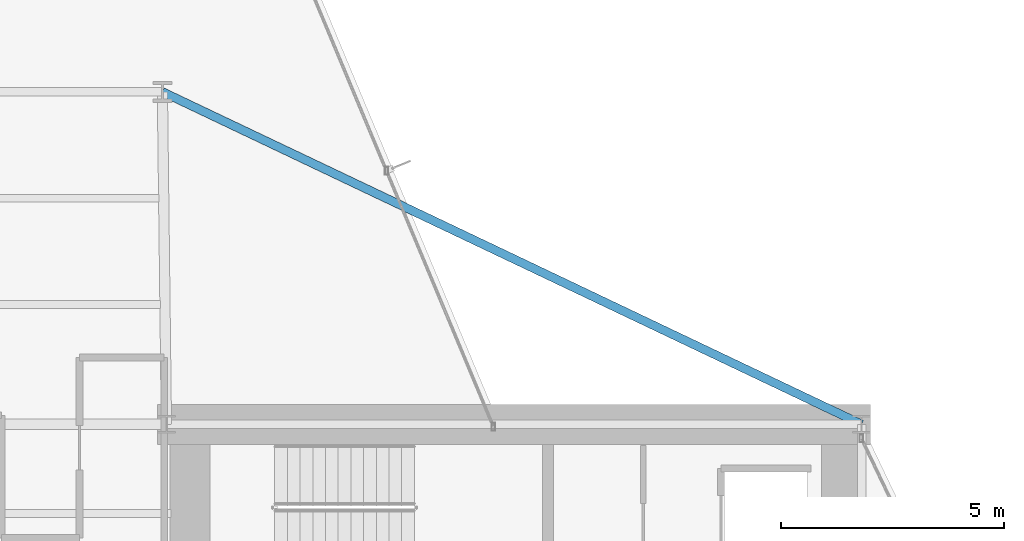
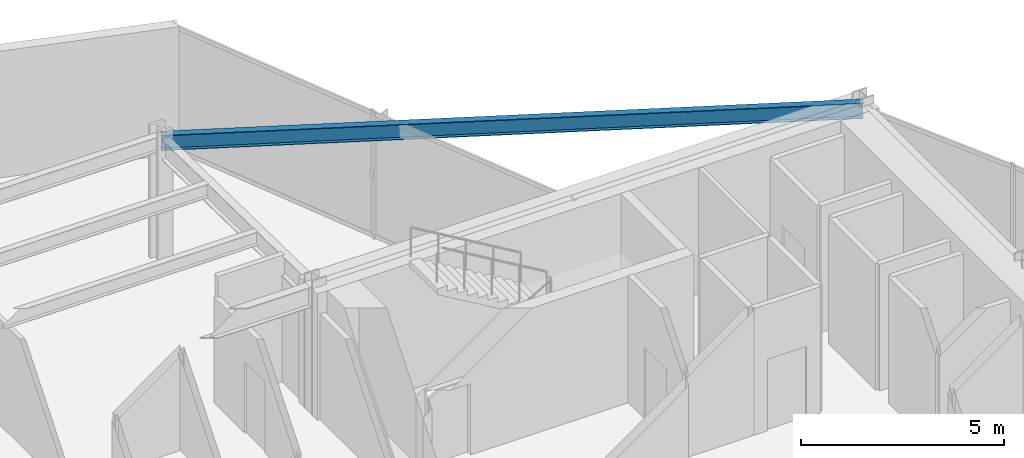
# One storey, part 17 of 25: 1 beam.
"""IFC4 building model written with IfcOpenShell, lengths in metres."""

from ifc_helpers import new_model, si_unit, direction, frame, origin, origin_2d, place, context, subcontext, project, spatial, i_section, extrude, material, material_profile, profile_set, type_object, element, save


model = new_model("IFC4")

# Units and contexts
model_context = context("Model", 3, precision=1e-05, world=origin(), true_north=direction((0.0, 1.0)))
body_context = subcontext(model_context, "Body", "Model", "MODEL_VIEW")
ifc_project = project(units=[si_unit("LENGTHUNIT", "METRE"), si_unit("AREAUNIT", "SQUARE_METRE"), si_unit("VOLUMEUNIT", "CUBIC_METRE"), si_unit("PLANEANGLEUNIT", "RADIAN"), si_unit("MASSUNIT", "GRAM", prefix="KILO")], contexts=[model_context])

# Site, building, storey
site_placement = place(None, origin())
site = spatial("IfcSite", under=ifc_project, at=site_placement, CompositionType="ELEMENT")
building_placement = place(site_placement, origin())
building = spatial("IfcBuilding", under=site, at=building_placement, Name="Veymaron Broadcast Tower", CompositionType="ELEMENT")
storey_placement = place(building_placement, frame((0.0, 0.0, 74.25)))
storey = spatial("IfcBuildingStorey", under=building, at=storey_placement, Name="L16", CompositionType="ELEMENT", Elevation=74.25)

# Beam
ifc_material = material(Name="Structural steel ASTM A992 Gr 50", Category="steel")
ifc_material_profile = material_profile(ifc_material, i_section(OverallWidth=0.19091796875, OverallDepth=0.4599609375, WebThickness=0.010009765625, FlangeThickness=0.01611328125, at=origin_2d()), Name="W460X82")
ifc_profile_set = profile_set([ifc_material_profile], Name="Structural steel ASTM A992 Gr 50")
beam_type = type_object("IfcBeamType", Name="BM-SP1", PredefinedType="SPANDREL", material=ifc_profile_set)
beam_placement = place(storey_placement, frame((54.60009765625, 32.0, 3.580078125), z_axis=(-0.903118549841, 0.429391295828, 0.0), x_axis=(-0.429391295828, -0.903118549841, 0.0)))
element("IfcBeam", 1, at=beam_placement, inside=storey, type_object=beam_type, Name="L16 primary structural floor girder", PredefinedType="SPANDREL", context=body_context, shape_type="SweptSolid", body=[
    extrude(i_section(OverallWidth=0.19091796875, OverallDepth=0.4599609375, WebThickness=0.010009765625, FlangeThickness=0.01611328125, at=origin_2d()), origin(), (0.0, 0.0, 1.0), 17.373291015625),
])

save(model, "model.ifc")
